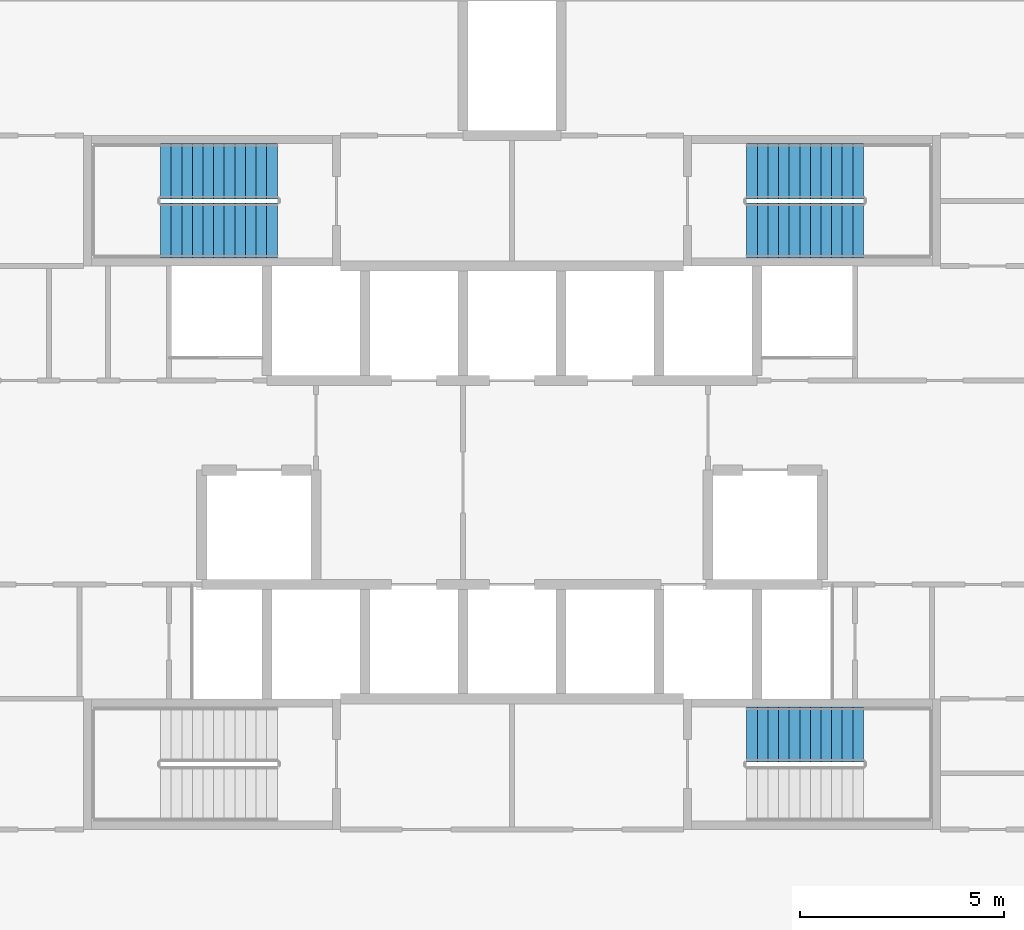
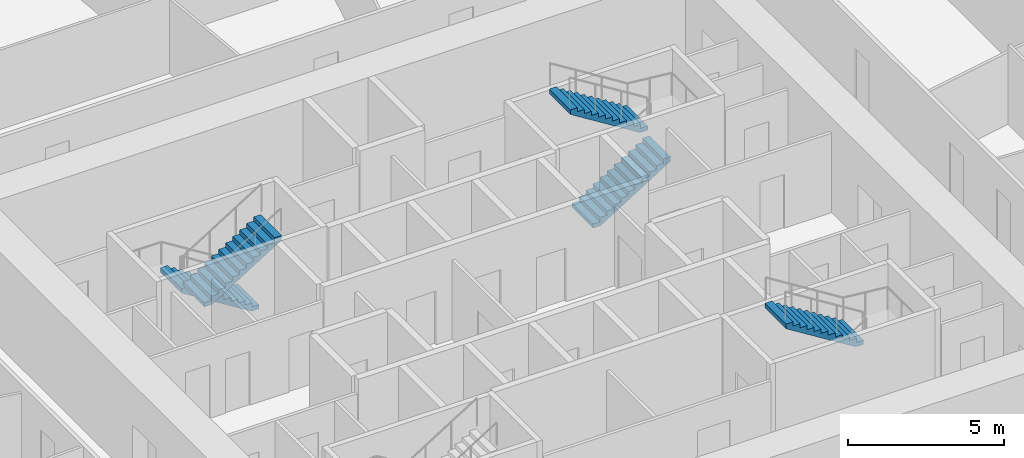
# One storey, part 10 of 11: 5 stair flights, 3 elements without a shape of their own.
"""IFC4 building model written with IfcOpenShell, lengths in metres."""

from ifc_helpers import new_model, si_unit, direction, frame, origin, place, context, subcontext, project, spatial, polyline, outline, extrude, source, transform, mapped, material, type_object, element, aggregate, save


model = new_model("IFC4")

# Units and contexts
model_context = context("Model", 3, precision=1e-05, world=origin(), true_north=direction((0.0, 1.0)))
body_context = subcontext(model_context, "Body", "Model", "MODEL_VIEW")
ifc_project = project(units=[si_unit("LENGTHUNIT", "METRE"), si_unit("AREAUNIT", "SQUARE_METRE"), si_unit("VOLUMEUNIT", "CUBIC_METRE"), si_unit("PLANEANGLEUNIT", "RADIAN"), si_unit("MASSUNIT", "GRAM", prefix="KILO")], contexts=[model_context])

# Site, building, storey
site_placement = place(None, origin())
site = spatial("IfcSite", under=ifc_project, at=site_placement, CompositionType="ELEMENT")
building_placement = place(site_placement, origin())
building = spatial("IfcBuilding", under=site, at=building_placement, Name="Embergate Tower", CompositionType="ELEMENT")
storey_placement = place(building_placement, frame((0.0, 0.0, 77.60009765625)))
storey = spatial("IfcBuildingStorey", under=building, at=storey_placement, Name="L15", CompositionType="ELEMENT", Elevation=77.60009765625)

# Stair, stair flights
ifc_material_1 = material(Name="Exit stair")
stair_type = type_object("IfcStairType", Name="Exit stair", PredefinedType="HALF_TURN_STAIR", material=ifc_material_1)
stair_1_placement = place(storey_placement, origin())
stair_1 = element("IfcStair", 1, at=stair_1_placement, inside=storey, type_object=stair_type, Name="L15 Exit stair 1", PredefinedType="HALF_TURN_STAIR")
ifc_material_2 = material(Name="Concrete C40", Category="concrete")
stair_flight_type = type_object("IfcStairFlightType", Name="Stair flight reinforced concrete", PredefinedType="STRAIGHT", material=ifc_material_2)
shared_shape = source(origin(), body_context, "Body", "SweptSolid", [
    extrude(outline(polyline([(0.0, 0.0), (0.0, 0.16259765625), (0.260009765625, 0.16259765625), (0.260009765625, 0.324951171875), (0.52001953125, 0.324951171875), (0.52001953125, 0.487548828125), (0.780029296875, 0.487548828125), (0.780029296875, 0.64990234375), (1.0400390625, 0.64990234375), (1.0400390625, 0.8125), (1.300048828125, 0.8125), (1.300048828125, 0.97509765625), (1.56005859375, 0.97509765625), (1.56005859375, 1.137451171875), (1.820068359375, 1.137451171875), (1.820068359375, 1.300048828125), (2.080078125, 1.300048828125), (2.080078125, 1.46240234375), (2.340087890625, 1.46240234375), (2.340087890625, 1.625), (2.60009765625, 1.625), (2.60009765625, 1.78759765625), (2.860107421875, 1.78759765625), (2.860107421875, 1.949951171875), (2.860107421875, 1.61083984375), (0.28271484375, 0.0), (0.0, 0.0)])), frame((0.0, 0.675048828125, 0.0), z_axis=(0.0, -1.0, 0.0), x_axis=(1.0, 0.0, 0.0)), (0.0, 0.0, 1.0), 1.35009765625),
])
stair_flight_1_placement = place(storey_placement, frame((-5.75, 7.625, 0.0), z_axis=(0.0, 0.0, 1.0), x_axis=(-1.0, 0.0, 0.0)))
stair_flight_1 = element("IfcStairFlight", 2, at=stair_flight_1_placement, type_object=stair_flight_type, Name="ST1 flight 1", NumberOfRisers=12, NumberOfTreads=11, PredefinedType="STRAIGHT", RiserHeight=0.1625, TreadLength=0.26, context=body_context, shape_type="MappedRepresentation", body=[
    mapped(shared_shape, transform((0.0, 0.0, 0.0))),
])
stair_flight_2_placement = place(storey_placement, frame((-8.610107421875, 6.175048828125, 1.949951171875), z_axis=(0.0, 0.0, 1.0), x_axis=(1.0, 0.0, 0.0)))
stair_flight_2 = element("IfcStairFlight", 3, at=stair_flight_2_placement, type_object=stair_flight_type, Name="ST1 flight 2", NumberOfRisers=12, NumberOfTreads=11, PredefinedType="STRAIGHT", RiserHeight=0.1625, TreadLength=0.26, context=body_context, shape_type="MappedRepresentation", body=[
    mapped(shared_shape, transform((0.0, 0.0, 0.0))),
])
aggregate(stair_1, [stair_flight_1, stair_flight_2])

stair_2_placement = place(storey_placement, origin())
stair_2 = element("IfcStair", 4, at=stair_2_placement, inside=storey, type_object=stair_type, Name="L15 Exit stair 2", PredefinedType="HALF_TURN_STAIR")
stair_flight_3_placement = place(storey_placement, frame((5.75, 6.175048828125, 0.0), z_axis=(0.0, 0.0, 1.0), x_axis=(1.0, 0.0, 0.0)))
stair_flight_3 = element("IfcStairFlight", 5, at=stair_flight_3_placement, type_object=stair_flight_type, Name="ST2 flight 1", NumberOfRisers=12, NumberOfTreads=11, PredefinedType="STRAIGHT", RiserHeight=0.1625, TreadLength=0.26, context=body_context, shape_type="MappedRepresentation", body=[
    mapped(shared_shape, transform((0.0, 0.0, 0.0))),
])
stair_flight_4_placement = place(storey_placement, frame((8.610107421875, 7.625, 1.949951171875), z_axis=(0.0, 0.0, 1.0), x_axis=(-1.0, 0.0, 0.0)))
stair_flight_4 = element("IfcStairFlight", 6, at=stair_flight_4_placement, type_object=stair_flight_type, Name="ST2 flight 2", NumberOfRisers=12, NumberOfTreads=11, PredefinedType="STRAIGHT", RiserHeight=0.1625, TreadLength=0.26, context=body_context, shape_type="MappedRepresentation", body=[
    mapped(shared_shape, transform((0.0, 0.0, 0.0))),
])
aggregate(stair_2, [stair_flight_3, stair_flight_4])

# Stair, stair flight
stair_3_placement = place(storey_placement, origin())
stair_3 = element("IfcStair", 7, at=stair_3_placement, inside=storey, type_object=stair_type, Name="L15 Exit stair 4", PredefinedType="HALF_TURN_STAIR")
stair_flight_5_placement = place(storey_placement, frame((8.610107421875, -6.175048828125, 1.949951171875), z_axis=(0.0, 0.0, 1.0), x_axis=(-1.0, 0.0, 0.0)))
stair_flight_5 = element("IfcStairFlight", 8, at=stair_flight_5_placement, type_object=stair_flight_type, Name="ST4 flight 2", NumberOfRisers=12, NumberOfTreads=11, PredefinedType="STRAIGHT", RiserHeight=0.1625, TreadLength=0.26, context=body_context, shape_type="MappedRepresentation", body=[
    mapped(shared_shape, transform((0.0, 0.0, 0.0))),
])
aggregate(stair_3, [stair_flight_5])

save(model, "model.ifc")
